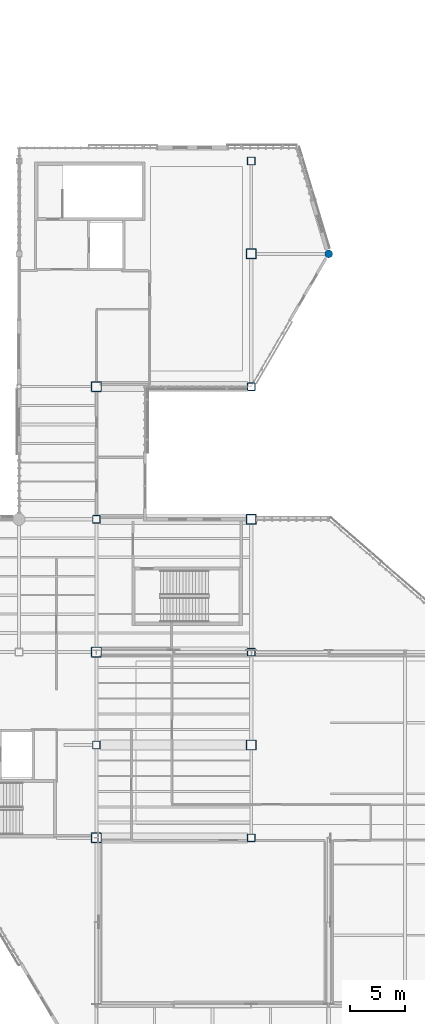
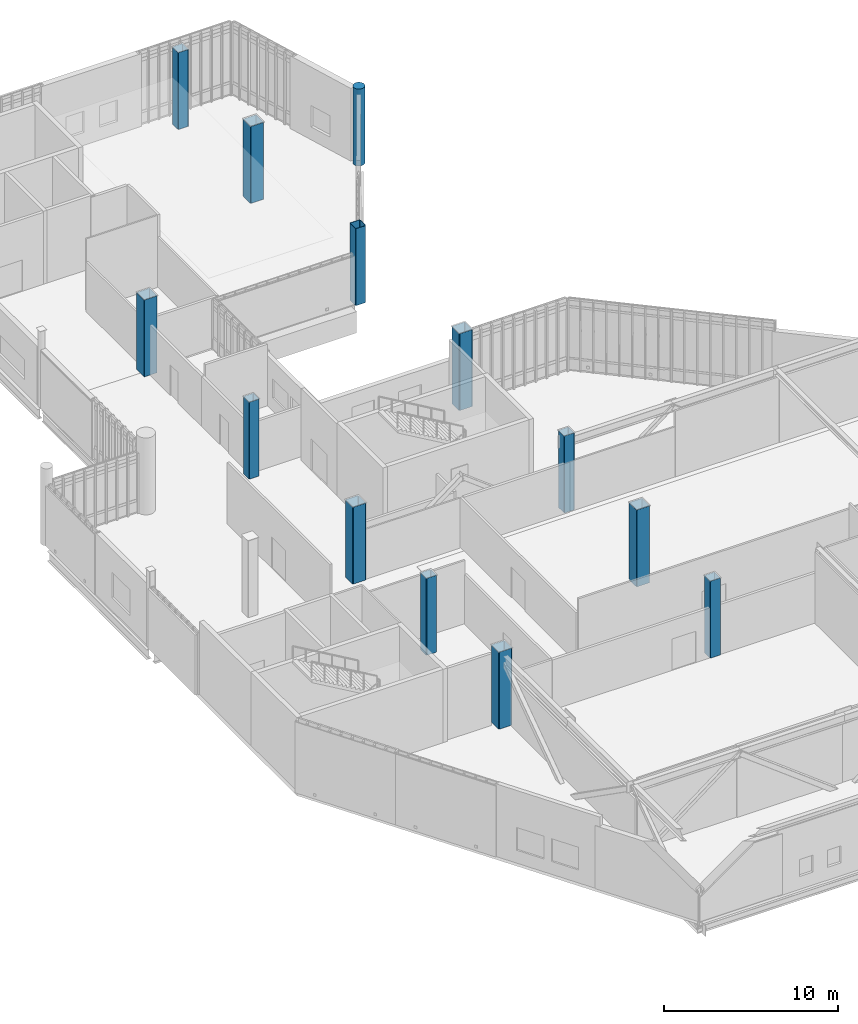
# One storey, part 7 of 135: 13 columns.
"""IFC4 building model written with IfcOpenShell, lengths in metres."""

from ifc_helpers import new_model, si_unit, direction, frame, origin, origin_2d, place, context, subcontext, project, spatial, hollow_rectangle, circle, extrude, material, material_profile, profile_set, type_object, element, save


model = new_model("IFC4")

# Units and contexts
model_context = context("Model", 3, precision=1e-05, world=origin(), true_north=direction((0.0, 1.0)))
body_context = subcontext(model_context, "Body", "Model", "MODEL_VIEW")
ifc_project = project(units=[si_unit("LENGTHUNIT", "METRE"), si_unit("AREAUNIT", "SQUARE_METRE"), si_unit("VOLUMEUNIT", "CUBIC_METRE"), si_unit("PLANEANGLEUNIT", "RADIAN"), si_unit("MASSUNIT", "GRAM", prefix="KILO")], contexts=[model_context])

# Site, building, storey
site_placement = place(None, origin())
site = spatial("IfcSite", under=ifc_project, at=site_placement, CompositionType="ELEMENT")
building_placement = place(site_placement, origin())
building = spatial("IfcBuilding", under=site, at=building_placement, Name="Larkvane Passage Sports Hall", CompositionType="ELEMENT")
storey_placement = place(building_placement, frame((0.0, 0.0, 16.800048828125)))
storey = spatial("IfcBuildingStorey", under=building, at=storey_placement, Name="L03", CompositionType="ELEMENT", Elevation=16.800048828125)

# Columns
ifc_material_1 = material(Name="Concrete C40/50", Category="concrete")
ifc_material_profile_1 = material_profile(ifc_material_1, circle(Radius=0.35009765625, at=origin_2d()), Name="RC-CIR-700")
ifc_profile_set_1 = profile_set([ifc_material_profile_1], Name="Concrete C40/50")
column_type_1 = type_object("IfcColumnType", Name="COL-CIR-700", PredefinedType="COLUMN", material=ifc_profile_set_1)
column_placement = place(storey_placement, frame((152.60009765625, 75.60009765625, 0.0), z_axis=(0.0, 0.0, 1.0), x_axis=(1.0, 0.0, 0.0)))
element("IfcColumn", 1, at=column_placement, inside=storey, type_object=column_type_1, Name="Column 20/J L03", PredefinedType="COLUMN", context=body_context, shape_type="SweptSolid", body=[
    extrude(circle(Radius=0.35009765625, at=origin_2d()), origin(), (0.0, 0.0, 1.0), 5.39990234375),
])
ifc_material_2 = material(Name="Steel S460N", Category="steel")
ifc_material_profile_2 = material_profile(ifc_material_2, hollow_rectangle(XDim=0.699951171875, YDim=0.699951171875, WallThickness=0.028076171875, InnerFilletRadius=0.028076171875, OuterFilletRadius=0.055908203125, at=origin_2d()), Name="BOX-700x700x28")
ifc_profile_set_2 = profile_set([ifc_material_profile_2], Name="Steel S460N")
column_type_2 = type_object("IfcColumnType", Name="COL-STL-BOX700", PredefinedType="COLUMN", material=ifc_profile_set_2)
for number, where, z_axis, x_axis, name in (
    (2, (131.60009765625, 31.199951171875, 0.0), (0.0, 0.0, 1.0), (1.0, 0.0, 0.0), "Column 18/E L03"),
    (3, (131.60009765625, 51.60009765625, 0.0), (0.0, 0.0, 1.0), (1.0, 0.0, 0.0), "Column 18/G L03"),
    (4, (145.60009765625, 22.800048828125, 0.0), (0.0, 0.0, 1.0), (1.0, 0.0, 0.0), "Column 19/D L03"),
    (5, (145.60009765625, 39.60009765625, 0.0), (0.0, 0.0, 1.0), (1.0, 0.0, 0.0), "Column 19/F L03"),
    (6, (145.60009765625, 63.60009765625, 0.0), (0.0, 0.0, 1.0), (1.0, 0.0, 0.0), "Column 19/H L03"),
    (7, (145.60009765625, 84.0, 0.0), (0.0, 0.0, 1.0), (1.0, 0.0, 0.0), "Column 19/K L03"),
):
    element("IfcColumn", number, at=place(storey_placement, frame(where, z_axis=z_axis, x_axis=x_axis)), inside=storey, type_object=column_type_2, Name=name, PredefinedType="COLUMN", context=body_context, shape_type="SweptSolid", body=[
        extrude(hollow_rectangle(XDim=0.699951171875, YDim=0.699951171875, WallThickness=0.028076171875, InnerFilletRadius=0.028076171875, OuterFilletRadius=0.055908203125, at=origin_2d()), origin(), (0.0, 0.0, 1.0), 5.39990234375),
    ])
ifc_material_profile_3 = material_profile(ifc_material_2, hollow_rectangle(XDim=0.89990234375, YDim=0.89990234375, WallThickness=0.035888671875, InnerFilletRadius=0.035888671875, OuterFilletRadius=0.072021484375, at=origin_2d()), Name="BOX-900x900x36")
ifc_profile_set_3 = profile_set([ifc_material_profile_3], Name="Steel S460N")
column_type_3 = type_object("IfcColumnType", Name="COL-STL-BOX900", PredefinedType="COLUMN", material=ifc_profile_set_3)
for number, where, z_axis, x_axis, name in (
    (8, (131.60009765625, 22.800048828125, 0.0), (0.0, 0.0, 1.0), (1.0, 0.0, 0.0), "Column 18/D L03"),
    (9, (131.60009765625, 39.60009765625, 0.0), (0.0, 0.0, 1.0), (1.0, 0.0, 0.0), "Column 18/F L03"),
    (10, (131.60009765625, 63.60009765625, 0.0), (0.0, 0.0, 1.0), (1.0, 0.0, 0.0), "Column 18/H L03"),
    (11, (145.60009765625, 31.199951171875, 0.0), (0.0, 0.0, 1.0), (1.0, 0.0, 0.0), "Column 19/E L03"),
    (12, (145.60009765625, 51.60009765625, 0.0), (0.0, 0.0, 1.0), (1.0, 0.0, 0.0), "Column 19/G L03"),
    (13, (145.60009765625, 75.60009765625, 0.0), (0.0, 0.0, 1.0), (1.0, 0.0, 0.0), "Column 19/J L03"),
):
    element("IfcColumn", number, at=place(storey_placement, frame(where, z_axis=z_axis, x_axis=x_axis)), inside=storey, type_object=column_type_3, Name=name, PredefinedType="COLUMN", context=body_context, shape_type="SweptSolid", body=[
        extrude(hollow_rectangle(XDim=0.89990234375, YDim=0.89990234375, WallThickness=0.035888671875, InnerFilletRadius=0.035888671875, OuterFilletRadius=0.072021484375, at=origin_2d()), origin(), (0.0, 0.0, 1.0), 5.39990234375),
    ])

save(model, "model.ifc")
